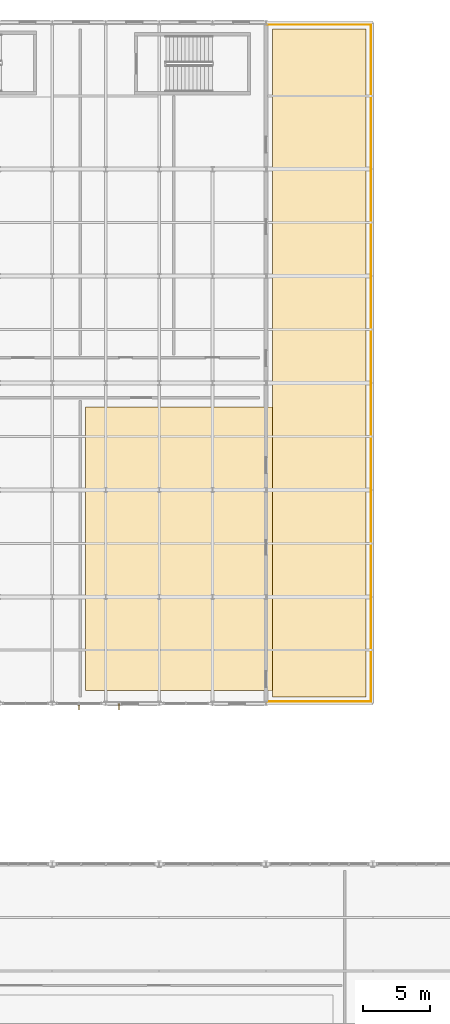
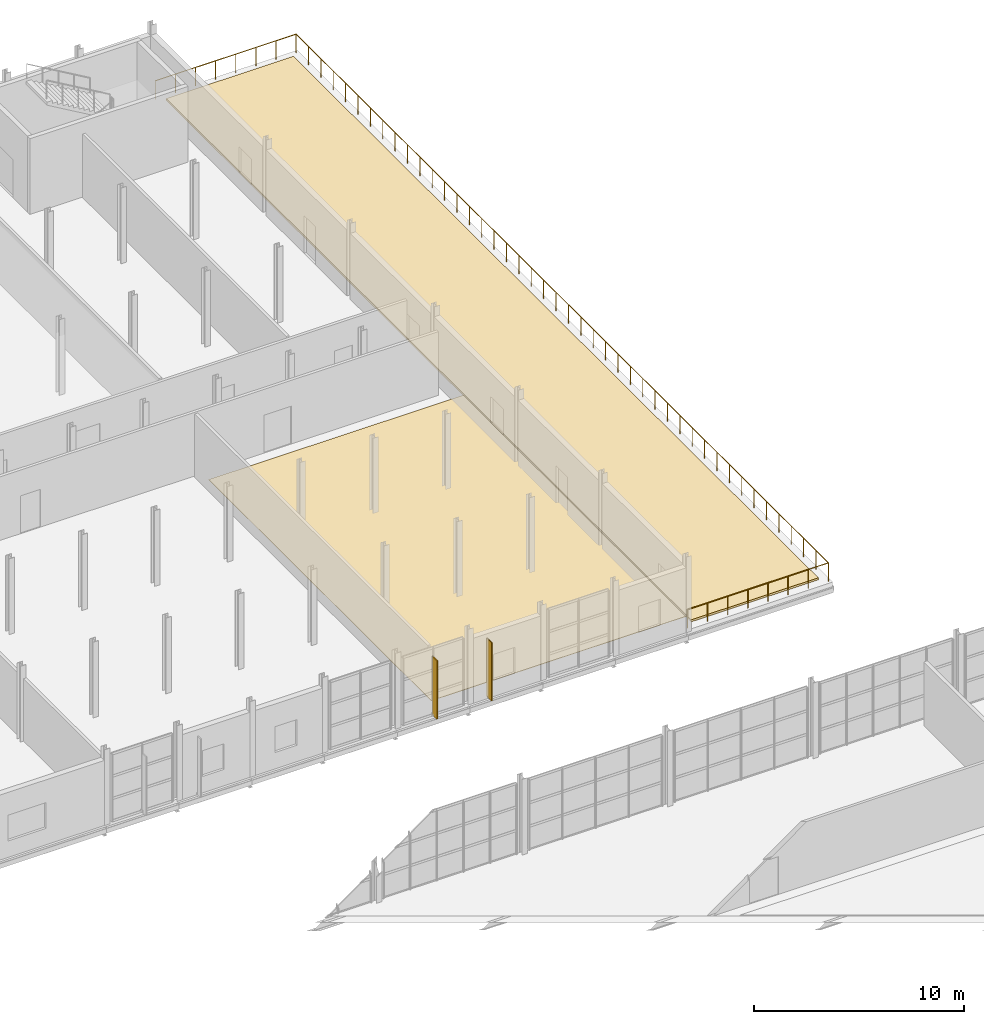
# One storey, part 152 of 153: 2 coverings, 2 shading devices, 1 railing.
"""IFC4 building model written with IfcOpenShell, lengths in metres."""

from ifc_helpers import new_model, si_unit, derived_unit, direction, frame, origin, origin_2d, place, context, subcontext, project, spatial, polyline, rectangle, circle, outline, extrude, material, layer, layer_set, type_object, element, save


model = new_model("IFC4")

# Units and contexts
model_context = context("Model", 3, precision=1e-05, world=origin(), true_north=direction((0.0, 1.0)))
body_context = subcontext(model_context, "Body", "Model", "MODEL_VIEW")
ifc_project = project(units=[si_unit("LENGTHUNIT", "METRE"), si_unit("AREAUNIT", "SQUARE_METRE"), si_unit("VOLUMEUNIT", "CUBIC_METRE"), si_unit("PLANEANGLEUNIT", "RADIAN"), si_unit("MASSUNIT", "GRAM", prefix="KILO"), derived_unit("THERMALTRANSMITTANCEUNIT", [(si_unit("POWERUNIT", "WATT"), 1), (si_unit("LENGTHUNIT", "METRE"), -2), (si_unit("THERMODYNAMICTEMPERATUREUNIT", "KELVIN"), -1)])], contexts=[model_context])

# Site, building, storey
site_placement = place(None, origin())
site = spatial("IfcSite", under=ifc_project, at=site_placement, CompositionType="ELEMENT")
building_placement = place(site_placement, origin())
building = spatial("IfcBuilding", under=site, at=building_placement, Name="Keldorne Ridge Multi-Sports Centre", CompositionType="ELEMENT")
storey_placement = place(building_placement, frame((0.0, 0.0, 9.60009765625)))
storey = spatial("IfcBuildingStorey", under=building, at=storey_placement, Name="L02", CompositionType="ELEMENT", Elevation=9.60009765625)

# Coverings
ifc_material_1 = material(Name="Recycled EPDM impact flooring")
ifc_layer_1 = layer(ifc_material_1, 0.02490234375)
ifc_layer_set_1 = layer_set([ifc_layer_1])
covering_type_1 = type_object("IfcCoveringType", Name="COV-FL-02", PredefinedType="FLOORING", material=ifc_layer_set_1)
covering_1_placement = place(storey_placement, origin())
element("IfcCovering", 1, at=covering_1_placement, inside=storey, type_object=covering_type_1, Name="Rehab Gymnasium impact flooring", PredefinedType="FLOORING", context=body_context, shape_type="SweptSolid", body=[
    extrude(outline(polyline([(138.5, 67.0), (159.0, 67.0), (159.0, 88.199951171875), (138.5, 88.199951171875), (138.5, 67.0)])), origin(), (0.0, 0.0, 1.0), 0.02490234375),
])
ifc_material_2 = material(Name="EPDM and sedum extensive green roof")
ifc_layer_2 = layer(ifc_material_2, 0.1201171875)
ifc_layer_set_2 = layer_set([ifc_layer_2])
covering_type_2 = type_object("IfcCoveringType", Name="COV-RF-02", PredefinedType="MEMBRANE", material=ifc_layer_set_2)
covering_2_placement = place(storey_placement, origin())
element("IfcCovering", 2, at=covering_2_placement, inside=storey, type_object=covering_type_2, Name="Second floor stepped roof garden planting", PredefinedType="MEMBRANE", context=body_context, shape_type="SweptSolid", body=[
    extrude(outline(polyline([(152.5, 66.5), (159.5, 66.5), (159.5, 116.5), (152.5, 116.5), (152.5, 66.5)])), origin(), (0.0, 0.0, 1.0), 0.119873046875),
])

# Railing
ifc_material_3 = material(Name="Galvanized steel", Category="steel")
railing_type = type_object("IfcRailingType", Name="RLG-GR-02", PredefinedType="GUARDRAIL", material=ifc_material_3)
railing_placement = place(storey_placement, frame((152.10009765625, 66.14990234375, 0.0)))
element("IfcRailing", 3, at=railing_placement, inside=storey, type_object=railing_type, Name="Perimeter safety guardrail RLG-GDN2-PER", PredefinedType="GUARDRAIL", context=body_context, shape_type="SweptSolid", body=[
    extrude(circle(Radius=0.02392578125, at=origin_2d()), frame((0.0, 0.0, 1.076171875), z_axis=(1.0, 0.0, 0.0), x_axis=(0.0, 1.0, 0.0)), (0.0, 0.0, 1.0), 7.75),
    extrude(circle(Radius=0.02392578125, at=origin_2d()), frame((7.75, 0.0, 1.076171875), z_axis=(0.0, 1.0, 0.0), x_axis=(-1.0, 0.0, 0.0)), (0.0, 0.0, 1.0), 50.7001953125),
    extrude(circle(Radius=0.02392578125, at=origin_2d()), frame((7.75, 50.7001953125, 1.076171875), z_axis=(-1.0, 0.0, 0.0), x_axis=(0.0, -1.0, 0.0)), (0.0, 0.0, 1.0), 7.75),
    extrude(circle(Radius=0.02099609375, at=origin_2d()), origin(), (0.0, 0.0, 1.0), 1.052001953125),
    extrude(circle(Radius=0.02099609375, at=origin_2d()), frame((1.107177734375, 0.0, 0.0)), (0.0, 0.0, 1.0), 1.052001953125),
    extrude(circle(Radius=0.02099609375, at=origin_2d()), frame((2.21435546875, 0.0, 0.0)), (0.0, 0.0, 1.0), 1.052001953125),
    extrude(circle(Radius=0.02099609375, at=origin_2d()), frame((3.321533203125, 0.0, 0.0)), (0.0, 0.0, 1.0), 1.052001953125),
    extrude(circle(Radius=0.02099609375, at=origin_2d()), frame((4.428466796875, 0.0, 0.0)), (0.0, 0.0, 1.0), 1.052001953125),
    extrude(circle(Radius=0.02099609375, at=origin_2d()), frame((5.53564453125, 0.0, 0.0)), (0.0, 0.0, 1.0), 1.052001953125),
    extrude(circle(Radius=0.02099609375, at=origin_2d()), frame((6.642822265625, 0.0, 0.0)), (0.0, 0.0, 1.0), 1.052001953125),
    extrude(circle(Radius=0.02099609375, at=origin_2d()), frame((7.75, 0.0, 0.0)), (0.0, 0.0, 1.0), 1.052001953125),
    extrude(circle(Radius=0.02099609375, at=origin_2d()), frame((7.75, 1.178955078125, 0.0)), (0.0, 0.0, 1.0), 1.052001953125),
    extrude(circle(Radius=0.02099609375, at=origin_2d()), frame((7.75, 2.358154296875, 0.0)), (0.0, 0.0, 1.0), 1.052001953125),
    extrude(circle(Radius=0.02099609375, at=origin_2d()), frame((7.75, 3.537109375, 0.0)), (0.0, 0.0, 1.0), 1.052001953125),
    extrude(circle(Radius=0.02099609375, at=origin_2d()), frame((7.75, 4.71630859375, 0.0)), (0.0, 0.0, 1.0), 1.052001953125),
    extrude(circle(Radius=0.02099609375, at=origin_2d()), frame((7.75, 5.895263671875, 0.0)), (0.0, 0.0, 1.0), 1.052001953125),
    extrude(circle(Radius=0.02099609375, at=origin_2d()), frame((7.75, 7.074462890625, 0.0)), (0.0, 0.0, 1.0), 1.052001953125),
    extrude(circle(Radius=0.02099609375, at=origin_2d()), frame((7.75, 8.25341796875, 0.0)), (0.0, 0.0, 1.0), 1.052001953125),
    extrude(circle(Radius=0.02099609375, at=origin_2d()), frame((7.75, 9.4326171875, 0.0)), (0.0, 0.0, 1.0), 1.052001953125),
    extrude(circle(Radius=0.02099609375, at=origin_2d()), frame((7.75, 10.611572265625, 0.0)), (0.0, 0.0, 1.0), 1.052001953125),
    extrude(circle(Radius=0.02099609375, at=origin_2d()), frame((7.75, 11.790771484375, 0.0)), (0.0, 0.0, 1.0), 1.052001953125),
    extrude(circle(Radius=0.02099609375, at=origin_2d()), frame((7.75, 12.9697265625, 0.0)), (0.0, 0.0, 1.0), 1.052001953125),
    extrude(circle(Radius=0.02099609375, at=origin_2d()), frame((7.75, 14.14892578125, 0.0)), (0.0, 0.0, 1.0), 1.052001953125),
    extrude(circle(Radius=0.02099609375, at=origin_2d()), frame((7.75, 15.327880859375, 0.0)), (0.0, 0.0, 1.0), 1.052001953125),
    extrude(circle(Radius=0.02099609375, at=origin_2d()), frame((7.75, 16.507080078125, 0.0)), (0.0, 0.0, 1.0), 1.052001953125),
    extrude(circle(Radius=0.02099609375, at=origin_2d()), frame((7.75, 17.68603515625, 0.0)), (0.0, 0.0, 1.0), 1.052001953125),
    extrude(circle(Radius=0.02099609375, at=origin_2d()), frame((7.75, 18.865234375, 0.0)), (0.0, 0.0, 1.0), 1.052001953125),
    extrude(circle(Radius=0.02099609375, at=origin_2d()), frame((7.75, 20.044189453125, 0.0)), (0.0, 0.0, 1.0), 1.052001953125),
    extrude(circle(Radius=0.02099609375, at=origin_2d()), frame((7.75, 21.223388671875, 0.0)), (0.0, 0.0, 1.0), 1.052001953125),
    extrude(circle(Radius=0.02099609375, at=origin_2d()), frame((7.75, 22.40234375, 0.0)), (0.0, 0.0, 1.0), 1.052001953125),
    extrude(circle(Radius=0.02099609375, at=origin_2d()), frame((7.75, 23.58154296875, 0.0)), (0.0, 0.0, 1.0), 1.052001953125),
    extrude(circle(Radius=0.02099609375, at=origin_2d()), frame((7.75, 24.760498046875, 0.0)), (0.0, 0.0, 1.0), 1.052001953125),
    extrude(circle(Radius=0.02099609375, at=origin_2d()), frame((7.75, 25.939697265625, 0.0)), (0.0, 0.0, 1.0), 1.052001953125),
    extrude(circle(Radius=0.02099609375, at=origin_2d()), frame((7.75, 27.11865234375, 0.0)), (0.0, 0.0, 1.0), 1.052001953125),
    extrude(circle(Radius=0.02099609375, at=origin_2d()), frame((7.75, 28.2978515625, 0.0)), (0.0, 0.0, 1.0), 1.052001953125),
    extrude(circle(Radius=0.02099609375, at=origin_2d()), frame((7.75, 29.476806640625, 0.0)), (0.0, 0.0, 1.0), 1.052001953125),
    extrude(circle(Radius=0.02099609375, at=origin_2d()), frame((7.75, 30.656005859375, 0.0)), (0.0, 0.0, 1.0), 1.052001953125),
    extrude(circle(Radius=0.02099609375, at=origin_2d()), frame((7.75, 31.8349609375, 0.0)), (0.0, 0.0, 1.0), 1.052001953125),
    extrude(circle(Radius=0.02099609375, at=origin_2d()), frame((7.75, 33.01416015625, 0.0)), (0.0, 0.0, 1.0), 1.052001953125),
    extrude(circle(Radius=0.02099609375, at=origin_2d()), frame((7.75, 34.193115234375, 0.0)), (0.0, 0.0, 1.0), 1.052001953125),
    extrude(circle(Radius=0.02099609375, at=origin_2d()), frame((7.75, 35.372314453125, 0.0)), (0.0, 0.0, 1.0), 1.052001953125),
    extrude(circle(Radius=0.02099609375, at=origin_2d()), frame((7.75, 36.55126953125, 0.0)), (0.0, 0.0, 1.0), 1.052001953125),
    extrude(circle(Radius=0.02099609375, at=origin_2d()), frame((7.75, 37.73046875, 0.0)), (0.0, 0.0, 1.0), 1.052001953125),
    extrude(circle(Radius=0.02099609375, at=origin_2d()), frame((7.75, 38.909423828125, 0.0)), (0.0, 0.0, 1.0), 1.052001953125),
    extrude(circle(Radius=0.02099609375, at=origin_2d()), frame((7.75, 40.088623046875, 0.0)), (0.0, 0.0, 1.0), 1.052001953125),
    extrude(circle(Radius=0.02099609375, at=origin_2d()), frame((7.75, 41.267578125, 0.0)), (0.0, 0.0, 1.0), 1.052001953125),
    extrude(circle(Radius=0.02099609375, at=origin_2d()), frame((7.75, 42.44677734375, 0.0)), (0.0, 0.0, 1.0), 1.052001953125),
    extrude(circle(Radius=0.02099609375, at=origin_2d()), frame((7.75, 43.625732421875, 0.0)), (0.0, 0.0, 1.0), 1.052001953125),
    extrude(circle(Radius=0.02099609375, at=origin_2d()), frame((7.75, 44.804931640625, 0.0)), (0.0, 0.0, 1.0), 1.052001953125),
    extrude(circle(Radius=0.02099609375, at=origin_2d()), frame((7.75, 45.98388671875, 0.0)), (0.0, 0.0, 1.0), 1.052001953125),
    extrude(circle(Radius=0.02099609375, at=origin_2d()), frame((7.75, 47.1630859375, 0.0)), (0.0, 0.0, 1.0), 1.052001953125),
    extrude(circle(Radius=0.02099609375, at=origin_2d()), frame((7.75, 48.342041015625, 0.0)), (0.0, 0.0, 1.0), 1.052001953125),
    extrude(circle(Radius=0.02099609375, at=origin_2d()), frame((7.75, 49.521240234375, 0.0)), (0.0, 0.0, 1.0), 1.052001953125),
    extrude(circle(Radius=0.02099609375, at=origin_2d()), frame((7.75, 50.7001953125, 0.0)), (0.0, 0.0, 1.0), 1.052001953125),
    extrude(circle(Radius=0.02099609375, at=origin_2d()), frame((6.642822265625, 50.7001953125, 0.0)), (0.0, 0.0, 1.0), 1.052001953125),
    extrude(circle(Radius=0.02099609375, at=origin_2d()), frame((5.53564453125, 50.7001953125, 0.0)), (0.0, 0.0, 1.0), 1.052001953125),
    extrude(circle(Radius=0.02099609375, at=origin_2d()), frame((4.428466796875, 50.7001953125, 0.0)), (0.0, 0.0, 1.0), 1.052001953125),
    extrude(circle(Radius=0.02099609375, at=origin_2d()), frame((3.321533203125, 50.7001953125, 0.0)), (0.0, 0.0, 1.0), 1.052001953125),
    extrude(circle(Radius=0.02099609375, at=origin_2d()), frame((2.21435546875, 50.7001953125, 0.0)), (0.0, 0.0, 1.0), 1.052001953125),
    extrude(circle(Radius=0.02099609375, at=origin_2d()), frame((1.107177734375, 50.7001953125, 0.0)), (0.0, 0.0, 1.0), 1.052001953125),
    extrude(circle(Radius=0.02099609375, at=origin_2d()), frame((0.0, 50.7001953125, 0.0)), (0.0, 0.0, 1.0), 1.052001953125),
])

# Shading devices
ifc_material_4 = material(Name="Anodized aluminium", Category="aluminium")
shading_device_type = type_object("IfcShadingDeviceType", Name="SHD-SF-01", PredefinedType="SHUTTER", material=ifc_material_4)
for number, where, z_axis, x_axis, name in (
    (4, (138.0, 65.77490234375, 0.0), (0.0, 0.0, 1.0), (1.0, 0.0, 0.0), "Vertical solar shading fin SF-07"),
    (5, (141.0, 65.77490234375, 0.0), (0.0, 0.0, 1.0), (1.0, 0.0, 0.0), "Vertical solar shading fin SF-08"),
):
    element("IfcShadingDevice", number, at=place(storey_placement, frame(where, z_axis=z_axis, x_axis=x_axis)), inside=storey, type_object=shading_device_type, Name=name, PredefinedType="SHUTTER", context=body_context, shape_type="SweptSolid", body=[
        extrude(rectangle(XDim=0.06005859375, YDim=0.449951171875, at=origin_2d()), origin(), (0.0, 0.0, 1.0), 3.39990234375),
    ])

save(model, "model.ifc")
